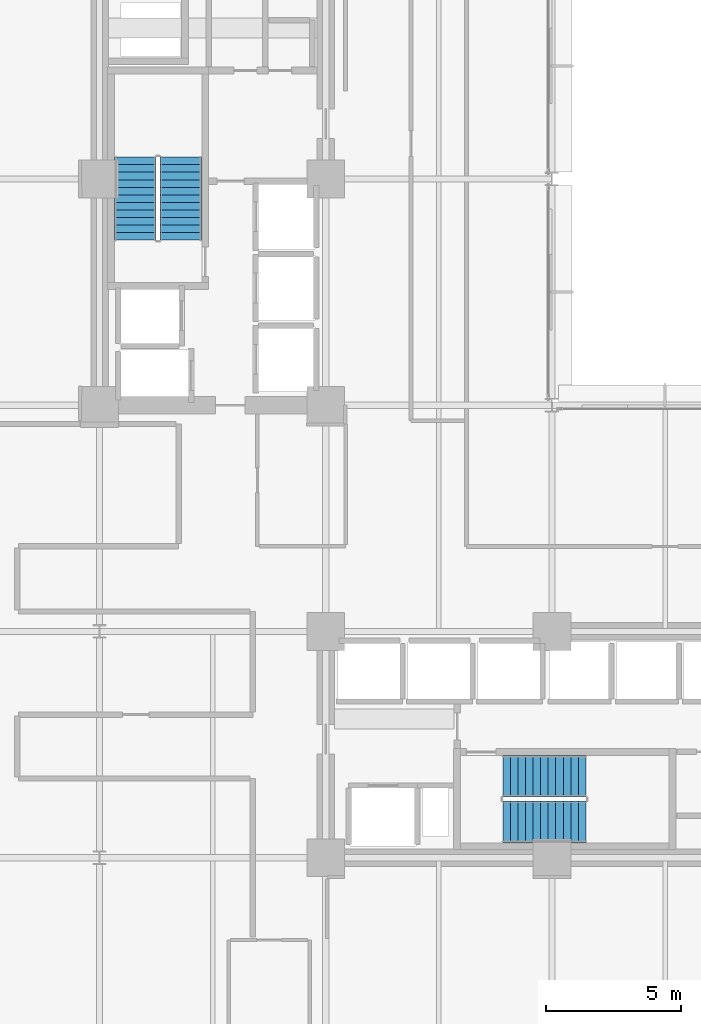
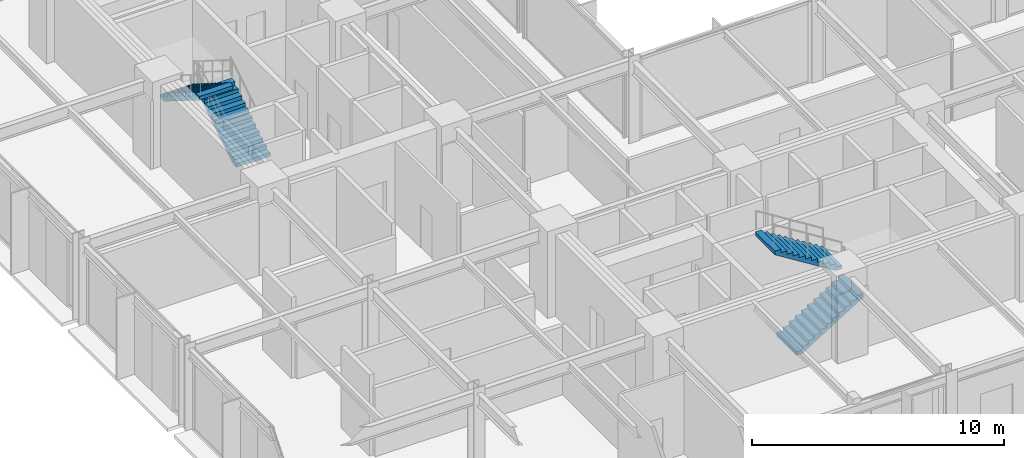
# One storey, part 26 of 30: 4 stair flights, 2 elements without a shape of their own.
"""IFC4 building model written with IfcOpenShell, lengths in metres."""

from ifc_helpers import new_model, si_unit, direction, frame, origin, place, context, subcontext, project, spatial, polyline, outline, extrude, material, type_object, element, aggregate, save


model = new_model("IFC4")

# Units and contexts
model_context = context("Model", 3, precision=1e-05, world=origin(), true_north=direction((0.0, 1.0)))
body_context = subcontext(model_context, "Body", "Model", "MODEL_VIEW")
ifc_project = project(units=[si_unit("LENGTHUNIT", "METRE"), si_unit("AREAUNIT", "SQUARE_METRE"), si_unit("VOLUMEUNIT", "CUBIC_METRE"), si_unit("PLANEANGLEUNIT", "RADIAN"), si_unit("MASSUNIT", "GRAM", prefix="KILO")], contexts=[model_context])

# Site, building, storey
site_placement = place(None, origin())
site = spatial("IfcSite", under=ifc_project, at=site_placement, CompositionType="ELEMENT")
building_placement = place(site_placement, origin())
building = spatial("IfcBuilding", under=site, at=building_placement, Name="Nerrivon Quay Data Exchange", CompositionType="ELEMENT")
storey_placement = place(building_placement, frame((0.0, 0.0, 62.60009765625)))
storey = spatial("IfcBuildingStorey", under=building, at=storey_placement, Name="L14", CompositionType="ELEMENT", Elevation=62.60009765625)

# Stair, stair flights
ifc_material = material(Name="Concrete N50 (50 MPa)", Category="concrete")
stair_type = type_object("IfcStairType", Name="STAIR-DOG-42", PredefinedType="HALF_TURN_STAIR", material=ifc_material)
stair_1_placement = place(storey_placement, origin())
stair_1 = element("IfcStair", 1, at=stair_1_placement, inside=storey, type_object=stair_type, Name="L14 West Core Fire Stair ST01", PredefinedType="HALF_TURN_STAIR")
stair_flight_type = type_object("IfcStairFlightType", Name="FLIGHT-DOG-42", PredefinedType="STRAIGHT", material=ifc_material)
stair_flight_1_placement = place(storey_placement, frame((11.425048828125, 31.330078125, 0.0), z_axis=(0.0, 0.0, 1.0), x_axis=(0.0, 1.0, 0.0)))
stair_flight_1 = element("IfcStairFlight", 2, at=stair_flight_1_placement, type_object=stair_flight_type, Name="ST01 flight 1", NumberOfRisers=12, NumberOfTreads=11, PredefinedType="STRAIGHT", RiserHeight=0.175, TreadLength=0.28, context=body_context, shape_type="SweptSolid", body=[
    extrude(outline(polyline([(0.0, 0.0), (0.0, 0.175048828125), (0.280029296875, 0.175048828125), (0.280029296875, 0.35009765625), (0.56005859375, 0.35009765625), (0.56005859375, 0.52490234375), (0.840087890625, 0.52490234375), (0.840087890625, 0.699951171875), (1.1201171875, 0.699951171875), (1.1201171875, 0.875), (1.39990234375, 0.875), (1.39990234375, 1.050048828125), (1.679931640625, 1.050048828125), (1.679931640625, 1.22509765625), (1.9599609375, 1.22509765625), (1.9599609375, 1.39990234375), (2.239990234375, 1.39990234375), (2.239990234375, 1.574951171875), (2.52001953125, 1.574951171875), (2.52001953125, 1.75), (2.800048828125, 1.75), (2.800048828125, 1.925048828125), (3.080078125, 1.925048828125), (3.080078125, 2.10009765625), (3.080078125, 1.748291015625), (0.28271484375, 0.0), (0.0, 0.0)])), frame((0.0, 0.77490234375, 0.0), z_axis=(0.0, -1.0, 0.0), x_axis=(1.0, 0.0, 0.0)), (0.0, 0.0, 1.0), 1.550048828125),
])
stair_flight_2_placement = place(storey_placement, frame((9.72509765625, 34.409912109375, 2.099853515625), z_axis=(0.0, 0.0, 1.0), x_axis=(0.0, -1.0, 0.0)))
stair_flight_2 = element("IfcStairFlight", 3, at=stair_flight_2_placement, type_object=stair_flight_type, Name="ST01 flight 2", NumberOfRisers=12, NumberOfTreads=11, PredefinedType="STRAIGHT", RiserHeight=0.175, TreadLength=0.28, context=body_context, shape_type="SweptSolid", body=[
    extrude(outline(polyline([(0.0, 0.0), (0.0, 0.175048828125), (0.280029296875, 0.175048828125), (0.280029296875, 0.35009765625), (0.56005859375, 0.35009765625), (0.56005859375, 0.52490234375), (0.840087890625, 0.52490234375), (0.840087890625, 0.699951171875), (1.1201171875, 0.699951171875), (1.1201171875, 0.875), (1.39990234375, 0.875), (1.39990234375, 1.050048828125), (1.679931640625, 1.050048828125), (1.679931640625, 1.22509765625), (1.9599609375, 1.22509765625), (1.9599609375, 1.39990234375), (2.239990234375, 1.39990234375), (2.239990234375, 1.574951171875), (2.52001953125, 1.574951171875), (2.52001953125, 1.75), (2.800048828125, 1.75), (2.800048828125, 1.925048828125), (3.080078125, 1.925048828125), (3.080078125, 2.10009765625), (3.080078125, 1.748291015625), (0.28271484375, 0.0), (0.0, 0.0)])), frame((0.0, 0.77490234375, 0.0), z_axis=(0.0, -1.0, 0.0), x_axis=(1.0, 0.0, 0.0)), (0.0, 0.0, 1.0), 1.550048828125),
])
aggregate(stair_1, [stair_flight_1, stair_flight_2])

stair_2_placement = place(storey_placement, origin())
stair_2 = element("IfcStair", 4, at=stair_2_placement, inside=storey, type_object=stair_type, Name="L14 East Core Fire Stair ST02", PredefinedType="HALF_TURN_STAIR")
stair_flight_3_placement = place(storey_placement, frame((23.3798828125, 9.72509765625, 0.0), z_axis=(0.0, 0.0, 1.0), x_axis=(1.0, 0.0, 0.0)))
stair_flight_3 = element("IfcStairFlight", 5, at=stair_flight_3_placement, type_object=stair_flight_type, Name="ST02 flight 1", NumberOfRisers=12, NumberOfTreads=11, PredefinedType="STRAIGHT", RiserHeight=0.175, TreadLength=0.28, context=body_context, shape_type="SweptSolid", body=[
    extrude(outline(polyline([(0.0, 0.0), (0.0, 0.175048828125), (0.280029296875, 0.175048828125), (0.280029296875, 0.35009765625), (0.56005859375, 0.35009765625), (0.56005859375, 0.52490234375), (0.840087890625, 0.52490234375), (0.840087890625, 0.699951171875), (1.1201171875, 0.699951171875), (1.1201171875, 0.875), (1.39990234375, 0.875), (1.39990234375, 1.050048828125), (1.679931640625, 1.050048828125), (1.679931640625, 1.22509765625), (1.9599609375, 1.22509765625), (1.9599609375, 1.39990234375), (2.239990234375, 1.39990234375), (2.239990234375, 1.574951171875), (2.52001953125, 1.574951171875), (2.52001953125, 1.75), (2.800048828125, 1.75), (2.800048828125, 1.925048828125), (3.080078125, 1.925048828125), (3.080078125, 2.10009765625), (3.080078125, 1.748291015625), (0.28271484375, 0.0), (0.0, 0.0)])), frame((0.0, 0.77490234375, 0.0), z_axis=(0.0, -1.0, 0.0), x_axis=(1.0, 0.0, 0.0)), (0.0, 0.0, 1.0), 1.550048828125),
])
stair_flight_4_placement = place(storey_placement, frame((26.4599609375, 11.425048828125, 2.099853515625), z_axis=(0.0, 0.0, 1.0), x_axis=(-1.0, 0.0, 0.0)))
stair_flight_4 = element("IfcStairFlight", 6, at=stair_flight_4_placement, type_object=stair_flight_type, Name="ST02 flight 2", NumberOfRisers=12, NumberOfTreads=11, PredefinedType="STRAIGHT", RiserHeight=0.175, TreadLength=0.28, context=body_context, shape_type="SweptSolid", body=[
    extrude(outline(polyline([(0.0, 0.0), (0.0, 0.175048828125), (0.280029296875, 0.175048828125), (0.280029296875, 0.35009765625), (0.56005859375, 0.35009765625), (0.56005859375, 0.52490234375), (0.840087890625, 0.52490234375), (0.840087890625, 0.699951171875), (1.1201171875, 0.699951171875), (1.1201171875, 0.875), (1.39990234375, 0.875), (1.39990234375, 1.050048828125), (1.679931640625, 1.050048828125), (1.679931640625, 1.22509765625), (1.9599609375, 1.22509765625), (1.9599609375, 1.39990234375), (2.239990234375, 1.39990234375), (2.239990234375, 1.574951171875), (2.52001953125, 1.574951171875), (2.52001953125, 1.75), (2.800048828125, 1.75), (2.800048828125, 1.925048828125), (3.080078125, 1.925048828125), (3.080078125, 2.10009765625), (3.080078125, 1.748291015625), (0.28271484375, 0.0), (0.0, 0.0)])), frame((0.0, 0.77490234375, 0.0), z_axis=(0.0, -1.0, 0.0), x_axis=(1.0, 0.0, 0.0)), (0.0, 0.0, 1.0), 1.550048828125),
])
aggregate(stair_2, [stair_flight_3, stair_flight_4])

save(model, "model.ifc")
